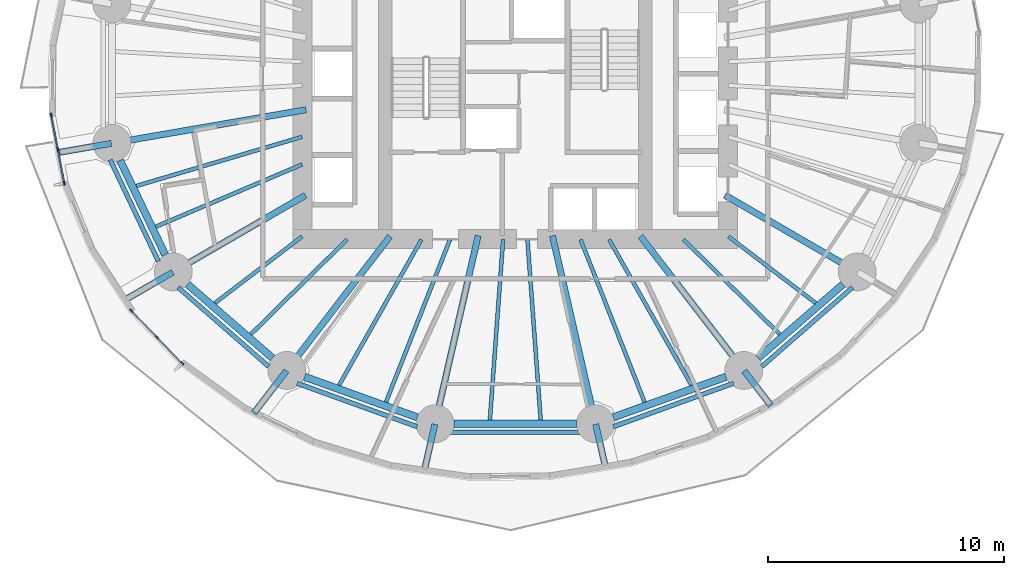
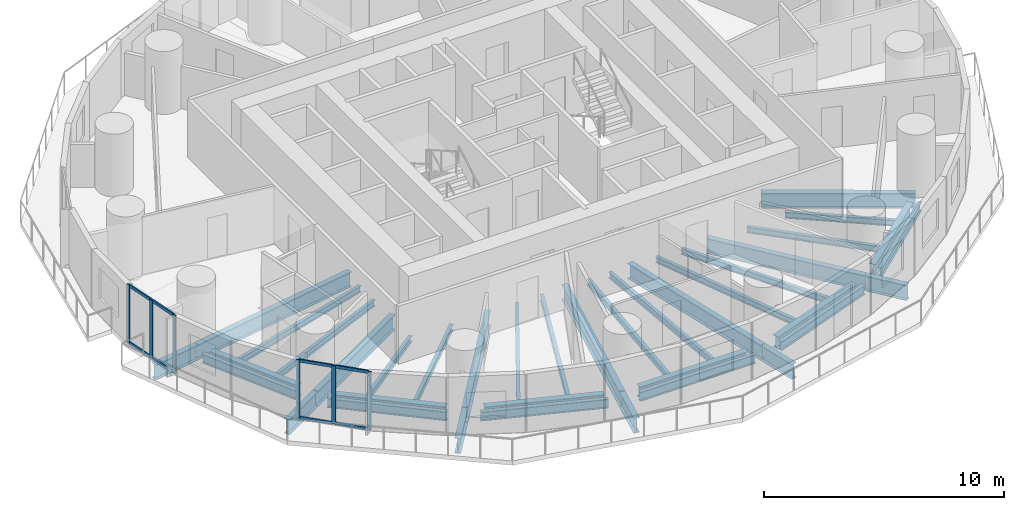
# One storey, part 2 of 14: 37 beams, 14 members, 2 elements without a shape of their own.
"""IFC4 building model written with IfcOpenShell, lengths in metres."""

from ifc_helpers import new_model, si_unit, direction, frame, origin, origin_2d, place, context, subcontext, project, spatial, rectangle, i_section, extrude, material, material_profile, profile_set, type_object, element, aggregate, save


model = new_model("IFC4")

# Units and contexts
model_context = context("Model", 3, precision=1e-05, world=origin(), true_north=direction((0.0, 1.0)))
body_context = subcontext(model_context, "Body", "Model", "MODEL_VIEW")
ifc_project = project(units=[si_unit("LENGTHUNIT", "METRE"), si_unit("AREAUNIT", "SQUARE_METRE"), si_unit("VOLUMEUNIT", "CUBIC_METRE"), si_unit("PLANEANGLEUNIT", "RADIAN"), si_unit("MASSUNIT", "GRAM", prefix="KILO")], contexts=[model_context])

# Site, building, storey
site_placement = place(None, origin())
site = spatial("IfcSite", under=ifc_project, at=site_placement, CompositionType="ELEMENT")
building_placement = place(site_placement, origin())
building = spatial("IfcBuilding", under=site, at=building_placement, Name="Veldorim Arch Residences", CompositionType="ELEMENT")
storey_placement = place(building_placement, frame((0.0, 0.0, 31.199951171875)))
storey = spatial("IfcBuildingStorey", under=building, at=storey_placement, Name="L08", CompositionType="ELEMENT", Elevation=31.199951171875)

# Beams
ifc_material_1 = material(Name="Steel S355", Category="steel")
ifc_material_profile_1 = material_profile(ifc_material_1, i_section(OverallWidth=0.30712890625, OverallDepth=0.6201171875, WebThickness=0.01416015625, FlangeThickness=0.023681640625, at=origin_2d()), Name="UB610x305x179")
ifc_profile_set_1 = profile_set([ifc_material_profile_1], Name="Steel S355")
beam_type_1 = type_object("IfcBeamType", Name="Structural Steel Beam UB610x305x179", PredefinedType="BEAM", material=ifc_profile_set_1)
beam_1_placement = place(storey_placement, frame((15.27880859375, 20.33203125, -0.550048828125), z_axis=(0.430786696724, -0.902453778276, 0.0), x_axis=(0.902453778276, 0.430786696724, 0.0)))
element("IfcBeam", 1, at=beam_1_placement, inside=storey, type_object=beam_type_1, Name="L08 perimeter ring tie beam 09", PredefinedType="BEAM", context=body_context, shape_type="SweptSolid", body=[
    extrude(i_section(OverallWidth=0.30712890625, OverallDepth=0.6201171875, WebThickness=0.01416015625, FlangeThickness=0.023681640625, at=origin_2d()), origin(), (0.0, 0.0, 1.0), 4.431396484375),
])
beam_2_placement = place(storey_placement, frame((18.13671875, 15.086669921875, -0.550048828125), z_axis=(0.755235029424, -0.655454079499, 0.0), x_axis=(0.655454079499, 0.755235029424, 0.0)))
element("IfcBeam", 2, at=beam_2_placement, inside=storey, type_object=beam_type_1, Name="L08 perimeter ring tie beam 10", PredefinedType="BEAM", context=body_context, shape_type="SweptSolid", body=[
    extrude(i_section(OverallWidth=0.30712890625, OverallDepth=0.6201171875, WebThickness=0.01416015625, FlangeThickness=0.023681640625, at=origin_2d()), origin(), (0.0, 0.0, 1.0), 4.756591796875),
])
beam_3_placement = place(storey_placement, frame((23.0859375, 11.17431640625, -0.550048828125), z_axis=(0.94103540046, -0.338308106732, 0.0), x_axis=(0.338308106732, 0.94103540046, 0.0)))
element("IfcBeam", 3, at=beam_3_placement, inside=storey, type_object=beam_type_1, Name="L08 perimeter ring tie beam 11", PredefinedType="BEAM", context=body_context, shape_type="SweptSolid", body=[
    extrude(i_section(OverallWidth=0.30712890625, OverallDepth=0.6201171875, WebThickness=0.01416015625, FlangeThickness=0.023681640625, at=origin_2d()), origin(), (0.0, 0.0, 1.0), 5.065185546875),
])
beam_4_placement = place(storey_placement, frame((29.405517578125, 9.190185546875, -0.550048828125), z_axis=(1.0, 0.0, 0.0), x_axis=(0.0, 1.0, 0.0)))
element("IfcBeam", 4, at=beam_4_placement, inside=storey, type_object=beam_type_1, Name="L08 perimeter ring tie beam 12", PredefinedType="BEAM", context=body_context, shape_type="SweptSolid", body=[
    extrude(i_section(OverallWidth=0.30712890625, OverallDepth=0.6201171875, WebThickness=0.01416015625, FlangeThickness=0.023681640625, at=origin_2d()), origin(), (0.0, 0.0, 1.0), 5.18896484375),
])
beam_5_placement = place(storey_placement, frame((36.1474609375, 9.460693359375, -0.550048828125), z_axis=(0.94103540046, 0.338308106732, 0.0), x_axis=(-0.338308106732, 0.94103540046, 0.0)))
element("IfcBeam", 5, at=beam_5_placement, inside=storey, type_object=beam_type_1, Name="L08 perimeter ring tie beam 13", PredefinedType="BEAM", context=body_context, shape_type="SweptSolid", body=[
    extrude(i_section(OverallWidth=0.30712890625, OverallDepth=0.6201171875, WebThickness=0.01416015625, FlangeThickness=0.023681640625, at=origin_2d()), origin(), (0.0, 0.0, 1.0), 5.065185546875),
])
beam_6_placement = place(storey_placement, frame((42.27099609375, 11.968994140625, -0.550048828125), z_axis=(0.755235029424, 0.655454079499, 0.0), x_axis=(-0.655454079499, 0.755235029424, 0.0)))
element("IfcBeam", 6, at=beam_6_placement, inside=storey, type_object=beam_type_1, Name="L08 perimeter ring tie beam 14", PredefinedType="BEAM", context=body_context, shape_type="SweptSolid", body=[
    extrude(i_section(OverallWidth=0.30712890625, OverallDepth=0.6201171875, WebThickness=0.01416015625, FlangeThickness=0.023681640625, at=origin_2d()), origin(), (0.0, 0.0, 1.0), 4.756591796875),
])
ifc_material_2 = material(Name="Steel S355", Category="steel")
ifc_material_profile_2 = material_profile(ifc_material_2, i_section(OverallWidth=0.26806640625, OverallDepth=0.769775390625, WebThickness=0.015625, FlangeThickness=0.025390625, at=origin_2d()), Name="UB762x267x197")
ifc_profile_set_2 = profile_set([ifc_material_profile_2], Name="Steel S355")
beam_type_2 = type_object("IfcBeamType", Name="Structural Steel GIRDER UB762x267x197", PredefinedType="USERDEFINED", material=ifc_profile_set_2)
beam_7_placement = place(storey_placement, frame((23.147705078125, 22.471923828125, -0.624755859375), z_axis=(-0.985427548249, -0.170095699979, 0.0), x_axis=(0.170095699979, -0.985427548249, 0.0)))
element("IfcBeam", 7, at=beam_7_placement, inside=storey, type_object=beam_type_2, Name="L08 radial floor girder 09", ObjectType="GIRDER", PredefinedType="USERDEFINED", context=body_context, shape_type="SweptSolid", body=[
    extrude(i_section(OverallWidth=0.26806640625, OverallDepth=0.769775390625, WebThickness=0.015625, FlangeThickness=0.025390625, at=origin_2d()), origin(), (0.0, 0.0, 1.0), 8.314697265625),
])
beam_8_placement = place(storey_placement, frame((14.91455078125, 21.05078125, -0.624755859375), z_axis=(-0.985412784753, -0.17018120826, 0.0), x_axis=(0.17018120826, -0.985412784753, 0.0)))
element("IfcBeam", 8, at=beam_8_placement, inside=storey, type_object=beam_type_2, Name="L08 radial edge cantilever girder 09", ObjectType="GIRDER", PredefinedType="USERDEFINED", context=body_context, shape_type="SweptSolid", body=[
    extrude(i_section(OverallWidth=0.26806640625, OverallDepth=0.769775390625, WebThickness=0.015625, FlangeThickness=0.025390625, at=origin_2d()), origin(), (0.0, 0.0, 1.0), 2.26513671875),
])
beam_9_placement = place(storey_placement, frame((23.1298828125, 18.8564453125, -0.624755859375), z_axis=(-0.865088348752, -0.501619525989, 0.0), x_axis=(0.501619525989, -0.865088348752, 0.0)))
element("IfcBeam", 9, at=beam_9_placement, inside=storey, type_object=beam_type_2, Name="L08 radial floor girder 10", ObjectType="GIRDER", PredefinedType="USERDEFINED", context=body_context, shape_type="SweptSolid", body=[
    extrude(i_section(OverallWidth=0.26806640625, OverallDepth=0.769775390625, WebThickness=0.015625, FlangeThickness=0.025390625, at=origin_2d()), origin(), (0.0, 0.0, 1.0), 6.4501953125),
])
beam_10_placement = place(storey_placement, frame((17.51513671875, 15.600830078125, -0.624755859375), z_axis=(-0.865088627534, -0.501619045203, 0.0), x_axis=(0.501619045203, -0.865088627534, 0.0)))
element("IfcBeam", 10, at=beam_10_placement, inside=storey, type_object=beam_type_2, Name="L08 radial edge cantilever girder 10", ObjectType="GIRDER", PredefinedType="USERDEFINED", context=body_context, shape_type="SweptSolid", body=[
    extrude(i_section(OverallWidth=0.26806640625, OverallDepth=0.769775390625, WebThickness=0.015625, FlangeThickness=0.025390625, at=origin_2d()), origin(), (0.0, 0.0, 1.0), 2.361083984375),
])
beam_11_placement = place(storey_placement, frame((26.701904296875, 17.118896484375, -0.624755859375), z_axis=(-0.610082439157, -0.792337943956, 0.0), x_axis=(0.792337943956, -0.610082439157, 0.0)))
element("IfcBeam", 11, at=beam_11_placement, inside=storey, type_object=beam_type_2, Name="L08 radial floor girder 11", ObjectType="GIRDER", PredefinedType="USERDEFINED", context=body_context, shape_type="SweptSolid", body=[
    extrude(i_section(OverallWidth=0.26806640625, OverallDepth=0.769775390625, WebThickness=0.015625, FlangeThickness=0.025390625, at=origin_2d()), origin(), (0.0, 0.0, 1.0), 7.14111328125),
])
beam_12_placement = place(storey_placement, frame((22.32080078125, 11.428955078125, -0.624755859375), z_axis=(-0.610044777152, -0.792366941429, 0.0), x_axis=(0.792366941429, -0.610044777152, 0.0)))
element("IfcBeam", 12, at=beam_12_placement, inside=storey, type_object=beam_type_2, Name="L08 radial edge cantilever girder 11", ObjectType="GIRDER", PredefinedType="USERDEFINED", context=body_context, shape_type="SweptSolid", body=[
    extrude(i_section(OverallWidth=0.26806640625, OverallDepth=0.769775390625, WebThickness=0.015625, FlangeThickness=0.025390625, at=origin_2d()), origin(), (0.0, 0.0, 1.0), 2.26025390625),
])
beam_13_placement = place(storey_placement, frame((30.428955078125, 17.146240234375, -0.624755859375), z_axis=(-0.223411766201, -0.974724157248, 0.0), x_axis=(0.974724157248, -0.223411766201, 0.0)))
element("IfcBeam", 13, at=beam_13_placement, inside=storey, type_object=beam_type_2, Name="L08 radial floor girder 12", ObjectType="GIRDER", PredefinedType="USERDEFINED", context=body_context, shape_type="SweptSolid", body=[
    extrude(i_section(OverallWidth=0.26806640625, OverallDepth=0.769775390625, WebThickness=0.015625, FlangeThickness=0.025390625, at=origin_2d()), origin(), (0.0, 0.0, 1.0), 8.142333984375),
])
beam_14_placement = place(storey_placement, frame((28.600830078125, 9.170654296875, -0.624755859375), z_axis=(-0.223397633351, -0.974727396462, 0.0), x_axis=(0.974727396462, -0.223397633351, 0.0)))
element("IfcBeam", 14, at=beam_14_placement, inside=storey, type_object=beam_type_2, Name="L08 radial edge cantilever girder 12", ObjectType="GIRDER", PredefinedType="USERDEFINED", context=body_context, shape_type="SweptSolid", body=[
    extrude(i_section(OverallWidth=0.26806640625, OverallDepth=0.769775390625, WebThickness=0.015625, FlangeThickness=0.025390625, at=origin_2d()), origin(), (0.0, 0.0, 1.0), 2.025146484375),
])
beam_15_placement = place(storey_placement, frame((33.571044921875, 17.146240234375, -0.624755859375), z_axis=(0.223411766201, -0.974724157248, 0.0), x_axis=(0.974724157248, 0.223411766201, 0.0)))
element("IfcBeam", 15, at=beam_15_placement, inside=storey, type_object=beam_type_2, Name="L08 radial floor girder 13", ObjectType="GIRDER", PredefinedType="USERDEFINED", context=body_context, shape_type="SweptSolid", body=[
    extrude(i_section(OverallWidth=0.26806640625, OverallDepth=0.769775390625, WebThickness=0.015625, FlangeThickness=0.025390625, at=origin_2d()), origin(), (0.0, 0.0, 1.0), 8.142333984375),
])
beam_16_placement = place(storey_placement, frame((35.399169921875, 9.170654296875, -0.624755859375), z_axis=(0.22337098514, -0.974733503578, 0.0), x_axis=(0.974733503578, 0.22337098514, 0.0)))
element("IfcBeam", 16, at=beam_16_placement, inside=storey, type_object=beam_type_2, Name="L08 radial edge cantilever girder 13", ObjectType="GIRDER", PredefinedType="USERDEFINED", context=body_context, shape_type="SweptSolid", body=[
    extrude(i_section(OverallWidth=0.26806640625, OverallDepth=0.769775390625, WebThickness=0.015625, FlangeThickness=0.025390625, at=origin_2d()), origin(), (0.0, 0.0, 1.0), 1.868896484375),
])
beam_17_placement = place(storey_placement, frame((37.298095703125, 17.118896484375, -0.624755859375), z_axis=(0.610082439157, -0.792337943956, 0.0), x_axis=(0.792337943956, 0.610082439157, 0.0)))
element("IfcBeam", 17, at=beam_17_placement, inside=storey, type_object=beam_type_2, Name="L08 radial floor girder 14", ObjectType="GIRDER", PredefinedType="USERDEFINED", context=body_context, shape_type="SweptSolid", body=[
    extrude(i_section(OverallWidth=0.26806640625, OverallDepth=0.769775390625, WebThickness=0.015625, FlangeThickness=0.025390625, at=origin_2d()), origin(), (0.0, 0.0, 1.0), 7.14111328125),
])
beam_18_placement = place(storey_placement, frame((41.67919921875, 11.428955078125, -0.624755859375), z_axis=(0.610034959005, -0.792374500342, 0.0), x_axis=(0.792374500342, 0.610034959005, 0.0)))
element("IfcBeam", 18, at=beam_18_placement, inside=storey, type_object=beam_type_2, Name="L08 radial edge cantilever girder 14", ObjectType="GIRDER", PredefinedType="USERDEFINED", context=body_context, shape_type="SweptSolid", body=[
    extrude(i_section(OverallWidth=0.26806640625, OverallDepth=0.769775390625, WebThickness=0.015625, FlangeThickness=0.025390625, at=origin_2d()), origin(), (0.0, 0.0, 1.0), 1.855712890625),
])
beam_19_placement = place(storey_placement, frame((40.8701171875, 18.8564453125, -0.624755859375), z_axis=(0.865088348752, -0.501619525989, 0.0), x_axis=(0.501619525989, 0.865088348752, 0.0)))
element("IfcBeam", 19, at=beam_19_placement, inside=storey, type_object=beam_type_2, Name="L08 radial floor girder 15", ObjectType="GIRDER", PredefinedType="USERDEFINED", context=body_context, shape_type="SweptSolid", body=[
    extrude(i_section(OverallWidth=0.26806640625, OverallDepth=0.769775390625, WebThickness=0.015625, FlangeThickness=0.025390625, at=origin_2d()), origin(), (0.0, 0.0, 1.0), 6.4501953125),
])
ifc_material_3 = material(Name="Steel S355", Category="steel")
ifc_material_profile_3 = material_profile(ifc_material_3, i_section(OverallWidth=0.165771484375, OverallDepth=0.306640625, WebThickness=0.006591796875, FlangeThickness=0.01171875, at=origin_2d()), Name="UB305x165x46")
ifc_profile_set_3 = profile_set([ifc_material_profile_3], Name="Steel S355")
beam_type_3 = type_object("IfcBeamType", Name="Structural Steel Joist UB305x165x46", PredefinedType="JOIST", material=ifc_profile_set_3)
beam_20_placement = place(storey_placement, frame((22.980712890625, 21.32666015625, -0.393310546875), z_axis=(-0.958766778771, -0.284194060325, 0.0), x_axis=(0.284194060325, -0.958766778771, 0.0)))
element("IfcBeam", 20, at=beam_20_placement, inside=storey, type_object=beam_type_3, Name="L08 secondary radial floor joist 09-1", PredefinedType="JOIST", context=body_context, shape_type="SweptSolid", body=[
    extrude(i_section(OverallWidth=0.165771484375, OverallDepth=0.306640625, WebThickness=0.006591796875, FlangeThickness=0.01171875, at=origin_2d()), origin(), (0.0, 0.0, 1.0), 7.3115234375),
])
beam_21_placement = place(storey_placement, frame((22.981689453125, 20.15869140625, -0.393310546875), z_axis=(-0.920032948668, -0.391841005213, 0.0), x_axis=(0.391841005213, -0.920032948668, 0.0)))
element("IfcBeam", 21, at=beam_21_placement, inside=storey, type_object=beam_type_3, Name="L08 secondary radial floor joist 09-2", PredefinedType="JOIST", context=body_context, shape_type="SweptSolid", body=[
    extrude(i_section(OverallWidth=0.165771484375, OverallDepth=0.306640625, WebThickness=0.006591796875, FlangeThickness=0.01171875, at=origin_2d()), origin(), (0.0, 0.0, 1.0), 6.723388671875),
])
beam_22_placement = place(storey_placement, frame((22.984130859375, 17.1123046875, -0.393310546875), z_axis=(-0.794666431166, -0.607046343517, 0.0), x_axis=(0.607046343517, -0.794666431166, 0.0)))
element("IfcBeam", 22, at=beam_22_placement, inside=storey, type_object=beam_type_3, Name="L08 secondary radial floor joist 10-1", PredefinedType="JOIST", context=body_context, shape_type="SweptSolid", body=[
    extrude(i_section(OverallWidth=0.165771484375, OverallDepth=0.306640625, WebThickness=0.006591796875, FlangeThickness=0.01171875, at=origin_2d()), origin(), (0.0, 0.0, 1.0), 4.646728515625),
])
beam_23_placement = place(storey_placement, frame((24.885009765625, 16.986083984375, -0.393310546875), z_axis=(-0.712129078446, -0.702048556463, 0.0), x_axis=(0.702048556463, -0.712129078446, 0.0)))
element("IfcBeam", 23, at=beam_23_placement, inside=storey, type_object=beam_type_3, Name="L08 secondary radial floor joist 10-2", PredefinedType="JOIST", context=body_context, shape_type="SweptSolid", body=[
    extrude(i_section(OverallWidth=0.165771484375, OverallDepth=0.306640625, WebThickness=0.006591796875, FlangeThickness=0.01171875, at=origin_2d()), origin(), (0.0, 0.0, 1.0), 5.715576171875),
])
beam_24_placement = place(storey_placement, frame((28.03125, 16.982666015625, -0.393310546875), z_axis=(-0.492292335352, -0.870429926274, 0.0), x_axis=(0.870429926274, -0.492292335352, 0.0)))
element("IfcBeam", 24, at=beam_24_placement, inside=storey, type_object=beam_type_3, Name="L08 secondary radial floor joist 11-1", PredefinedType="JOIST", context=body_context, shape_type="SweptSolid", body=[
    extrude(i_section(OverallWidth=0.165771484375, OverallDepth=0.306640625, WebThickness=0.006591796875, FlangeThickness=0.01171875, at=origin_2d()), origin(), (0.0, 0.0, 1.0), 7.083251953125),
])
beam_25_placement = place(storey_placement, frame((29.237548828125, 16.9814453125, -0.393310546875), z_axis=(-0.366229833858, -0.930524426758, 0.0), x_axis=(0.930524426758, -0.366229833858, 0.0)))
element("IfcBeam", 25, at=beam_25_placement, inside=storey, type_object=beam_type_3, Name="L08 secondary radial floor joist 11-2", PredefinedType="JOIST", context=body_context, shape_type="SweptSolid", body=[
    extrude(i_section(OverallWidth=0.165771484375, OverallDepth=0.306640625, WebThickness=0.006591796875, FlangeThickness=0.01171875, at=origin_2d()), origin(), (0.0, 0.0, 1.0), 7.3896484375),
])
for number, where, z_axis, x_axis, name in (
    (26, (31.485107421875, 16.97998046875, -0.393310546875), (-0.073167620373, -0.997319657547, 0.0), (0.997319657547, -0.073167620373, 0.0), "L08 secondary radial floor joist 12-1"),
    (27, (32.514892578125, 16.97998046875, -0.393310546875), (0.073167620373, -0.997319657547, 0.0), (0.997319657547, 0.073167620373, 0.0), "L08 secondary radial floor joist 12-2"),
):
    element("IfcBeam", number, at=place(storey_placement, frame(where, z_axis=z_axis, x_axis=x_axis)), inside=storey, type_object=beam_type_3, Name=name, PredefinedType="JOIST", context=body_context, shape_type="SweptSolid", body=[
        extrude(i_section(OverallWidth=0.165771484375, OverallDepth=0.306640625, WebThickness=0.006591796875, FlangeThickness=0.01171875, at=origin_2d()), origin(), (0.0, 0.0, 1.0), 7.651123046875),
    ])
beam_26_placement = place(storey_placement, frame((34.762451171875, 16.9814453125, -0.393310546875), z_axis=(0.366229833858, -0.930524426758, 0.0), x_axis=(0.930524426758, 0.366229833858, 0.0)))
element("IfcBeam", 28, at=beam_26_placement, inside=storey, type_object=beam_type_3, Name="L08 secondary radial floor joist 13-1", PredefinedType="JOIST", context=body_context, shape_type="SweptSolid", body=[
    extrude(i_section(OverallWidth=0.165771484375, OverallDepth=0.306640625, WebThickness=0.006591796875, FlangeThickness=0.01171875, at=origin_2d()), origin(), (0.0, 0.0, 1.0), 7.3896484375),
])
beam_27_placement = place(storey_placement, frame((35.96875, 16.982666015625, -0.393310546875), z_axis=(0.492292335352, -0.870429926274, 0.0), x_axis=(0.870429926274, 0.492292335352, 0.0)))
element("IfcBeam", 29, at=beam_27_placement, inside=storey, type_object=beam_type_3, Name="L08 secondary radial floor joist 13-2", PredefinedType="JOIST", context=body_context, shape_type="SweptSolid", body=[
    extrude(i_section(OverallWidth=0.165771484375, OverallDepth=0.306640625, WebThickness=0.006591796875, FlangeThickness=0.01171875, at=origin_2d()), origin(), (0.0, 0.0, 1.0), 7.083251953125),
])
beam_28_placement = place(storey_placement, frame((39.114990234375, 16.986083984375, -0.393310546875), z_axis=(0.712129078446, -0.702048556463, 0.0), x_axis=(0.702048556463, 0.712129078446, 0.0)))
element("IfcBeam", 30, at=beam_28_placement, inside=storey, type_object=beam_type_3, Name="L08 secondary radial floor joist 14-1", PredefinedType="JOIST", context=body_context, shape_type="SweptSolid", body=[
    extrude(i_section(OverallWidth=0.165771484375, OverallDepth=0.306640625, WebThickness=0.006591796875, FlangeThickness=0.01171875, at=origin_2d()), origin(), (0.0, 0.0, 1.0), 5.715576171875),
])
beam_29_placement = place(storey_placement, frame((41.015869140625, 17.1123046875, -0.393310546875), z_axis=(0.794666431166, -0.607046343517, 0.0), x_axis=(0.607046343517, 0.794666431166, 0.0)))
element("IfcBeam", 31, at=beam_29_placement, inside=storey, type_object=beam_type_3, Name="L08 secondary radial floor joist 14-2", PredefinedType="JOIST", context=body_context, shape_type="SweptSolid", body=[
    extrude(i_section(OverallWidth=0.165771484375, OverallDepth=0.306640625, WebThickness=0.006591796875, FlangeThickness=0.01171875, at=origin_2d()), origin(), (0.0, 0.0, 1.0), 4.646728515625),
])
ifc_material_4 = material(Name="Steel S355", Category="steel")
ifc_material_profile_4 = material_profile(ifc_material_4, i_section(OverallWidth=0.19140625, OverallDepth=0.4599609375, WebThickness=0.010009765625, FlangeThickness=0.01611328125, at=origin_2d()), Name="UB457x191x82")
ifc_profile_set_4 = profile_set([ifc_material_profile_4], Name="Steel S355")
beam_type_4 = type_object("IfcBeamType", Name="Structural Steel Spandrel UB457x191x82", PredefinedType="SPANDREL", material=ifc_profile_set_4)
beam_30_placement = place(storey_placement, frame((14.86181640625, 20.353515625, -0.489990234375), z_axis=(0.42886940858, -0.903366498374, 0.0), x_axis=(0.903366498374, 0.42886940858, 0.0)))
element("IfcBeam", 32, at=beam_30_placement, inside=storey, type_object=beam_type_4, Name="L08 perimeter chord spandrel beam 09", PredefinedType="SPANDREL", context=body_context, shape_type="SweptSolid", body=[
    extrude(i_section(OverallWidth=0.19140625, OverallDepth=0.4599609375, WebThickness=0.010009765625, FlangeThickness=0.01611328125, at=origin_2d()), origin(), (0.0, 0.0, 1.0), 4.7568359375),
])
beam_31_placement = place(storey_placement, frame((17.73388671875, 14.957275390625, -0.489990234375), z_axis=(0.753250231024, -0.65773405679, 0.0), x_axis=(0.65773405679, 0.753250231024, 0.0)))
element("IfcBeam", 33, at=beam_31_placement, inside=storey, type_object=beam_type_4, Name="L08 perimeter chord spandrel beam 10", PredefinedType="SPANDREL", context=body_context, shape_type="SweptSolid", body=[
    extrude(i_section(OverallWidth=0.19140625, OverallDepth=0.4599609375, WebThickness=0.010009765625, FlangeThickness=0.01611328125, at=origin_2d()), origin(), (0.0, 0.0, 1.0), 5.09423828125),
])
beam_32_placement = place(storey_placement, frame((22.76318359375, 10.904052734375, -0.489990234375), z_axis=(0.940271320222, -0.340425974873, 0.0), x_axis=(0.340425974873, 0.940271320222, 0.0)))
element("IfcBeam", 34, at=beam_32_placement, inside=storey, type_object=beam_type_4, Name="L08 perimeter chord spandrel beam 11", PredefinedType="SPANDREL", context=body_context, shape_type="SweptSolid", body=[
    extrude(i_section(OverallWidth=0.19140625, OverallDepth=0.4599609375, WebThickness=0.010009765625, FlangeThickness=0.01611328125, at=origin_2d()), origin(), (0.0, 0.0, 1.0), 5.4189453125),
])
beam_33_placement = place(storey_placement, frame((29.224609375, 8.819580078125, -0.489990234375), z_axis=(1.0, 0.0, 0.0), x_axis=(0.0, 1.0, 0.0)))
element("IfcBeam", 35, at=beam_33_placement, inside=storey, type_object=beam_type_4, Name="L08 perimeter chord spandrel beam 12", PredefinedType="SPANDREL", context=body_context, shape_type="SweptSolid", body=[
    extrude(i_section(OverallWidth=0.19140625, OverallDepth=0.4599609375, WebThickness=0.010009765625, FlangeThickness=0.01611328125, at=origin_2d()), origin(), (0.0, 0.0, 1.0), 5.55078125),
])
beam_34_placement = place(storey_placement, frame((36.1416015625, 9.059326171875, -0.489990234375), z_axis=(0.940271320222, 0.340425974873, 0.0), x_axis=(-0.340425974873, 0.940271320222, 0.0)))
element("IfcBeam", 36, at=beam_34_placement, inside=storey, type_object=beam_type_4, Name="L08 perimeter chord spandrel beam 13", PredefinedType="SPANDREL", context=body_context, shape_type="SweptSolid", body=[
    extrude(i_section(OverallWidth=0.19140625, OverallDepth=0.4599609375, WebThickness=0.010009765625, FlangeThickness=0.01611328125, at=origin_2d()), origin(), (0.0, 0.0, 1.0), 5.4189453125),
])
beam_35_placement = place(storey_placement, frame((42.428955078125, 11.606689453125, -0.489990234375), z_axis=(0.753250231024, 0.65773405679, 0.0), x_axis=(-0.65773405679, 0.753250231024, 0.0)))
element("IfcBeam", 37, at=beam_35_placement, inside=storey, type_object=beam_type_4, Name="L08 perimeter chord spandrel beam 14", PredefinedType="SPANDREL", context=body_context, shape_type="SweptSolid", body=[
    extrude(i_section(OverallWidth=0.19140625, OverallDepth=0.4599609375, WebThickness=0.010009765625, FlangeThickness=0.01611328125, at=origin_2d()), origin(), (0.0, 0.0, 1.0), 5.09423828125),
])

# Curtain wall, members
ifc_material_5 = material(Name="Aluminium", Category="aluminium")
curtain_wall_type = type_object("IfcCurtainWallType", Name="Zone 1 Acoustic Low-E Unitised Curtain Wall", PredefinedType="NOTDEFINED", material=ifc_material_5)
curtain_wall_1_placement = place(storey_placement, origin())
curtain_wall_1 = element("IfcCurtainWall", 38, at=curtain_wall_1_placement, inside=storey, type_object=curtain_wall_type, Name="L08 unitised curtain wall bay 19", PredefinedType="NOTDEFINED")
ifc_material_6 = material(Name="Aluminium", Category="aluminium")
ifc_material_profile_5 = material_profile(ifc_material_6, rectangle(XDim=0.06494140625, YDim=0.175048828125, at=origin_2d()), Name="ALU_MUL_65x175")
ifc_profile_set_5 = profile_set([ifc_material_profile_5], Name="Aluminium")
member_type_1 = type_object("IfcMemberType", Name="Zone 1 Acoustic Low-E Unitised Curtain Wall Mullion 65x175", PredefinedType="MULLION", material=ifc_profile_set_5)
member_1_placement = place(storey_placement, frame((12.9208984375, 19.360595703125, 0.0), z_axis=(0.0, 0.0, 1.0), x_axis=(-0.982317566124, -0.187222325819, 0.0)))
member_1 = element("IfcMember", 39, at=member_1_placement, type_object=member_type_1, Name="CW-Z1 mullion 1", PredefinedType="MULLION", context=body_context, shape_type="SweptSolid", body=[
    extrude(rectangle(XDim=0.06494140625, YDim=0.175048828125, at=origin_2d()), origin(), (0.0, 0.0, 1.0), 2.9599609375),
])
member_2_placement = place(storey_placement, frame((12.64599609375, 20.802978515625, 0.0), z_axis=(0.0, 0.0, 1.0), x_axis=(-0.982317566124, -0.187222325819, 0.0)))
member_2 = element("IfcMember", 40, at=member_2_placement, type_object=member_type_1, Name="CW-Z1 mullion 2", PredefinedType="MULLION", context=body_context, shape_type="SweptSolid", body=[
    extrude(rectangle(XDim=0.06494140625, YDim=0.175048828125, at=origin_2d()), origin(), (0.0, 0.0, 1.0), 2.9599609375),
])
member_3_placement = place(storey_placement, frame((12.37109375, 22.245361328125, 0.0), z_axis=(0.0, 0.0, 1.0), x_axis=(-0.982317566124, -0.187222325819, 0.0)))
member_3 = element("IfcMember", 41, at=member_3_placement, type_object=member_type_1, Name="CW-Z1 mullion 3", PredefinedType="MULLION", context=body_context, shape_type="SweptSolid", body=[
    extrude(rectangle(XDim=0.06494140625, YDim=0.175048828125, at=origin_2d()), origin(), (0.0, 0.0, 1.0), 2.9599609375),
])

curtain_wall_2_placement = place(storey_placement, origin())
curtain_wall_2 = element("IfcCurtainWall", 42, at=curtain_wall_2_placement, inside=storey, type_object=curtain_wall_type, Name="L08 unitised curtain wall bay 22", PredefinedType="NOTDEFINED")
member_4_placement = place(storey_placement, frame((17.904541015625, 11.740234375, 0.0), z_axis=(0.0, 0.0, 1.0), x_axis=(-0.720420523139, -0.693537504278, 0.0)))
member_4 = element("IfcMember", 43, at=member_4_placement, type_object=member_type_1, Name="CW-Z1 mullion 1", PredefinedType="MULLION", context=body_context, shape_type="SweptSolid", body=[
    extrude(rectangle(XDim=0.06494140625, YDim=0.175048828125, at=origin_2d()), origin(), (0.0, 0.0, 1.0), 2.9599609375),
])
member_5_placement = place(storey_placement, frame((16.833251953125, 12.85302734375, 0.0), z_axis=(0.0, 0.0, 1.0), x_axis=(-0.720420523139, -0.693537504278, 0.0)))
member_5 = element("IfcMember", 44, at=member_5_placement, type_object=member_type_1, Name="CW-Z1 mullion 2", PredefinedType="MULLION", context=body_context, shape_type="SweptSolid", body=[
    extrude(rectangle(XDim=0.06494140625, YDim=0.175048828125, at=origin_2d()), origin(), (0.0, 0.0, 1.0), 2.9599609375),
])
member_6_placement = place(storey_placement, frame((15.76171875, 13.9658203125, 0.0), z_axis=(0.0, 0.0, 1.0), x_axis=(-0.720420523139, -0.693537504278, 0.0)))
member_6 = element("IfcMember", 45, at=member_6_placement, type_object=member_type_1, Name="CW-Z1 mullion 3", PredefinedType="MULLION", context=body_context, shape_type="SweptSolid", body=[
    extrude(rectangle(XDim=0.06494140625, YDim=0.175048828125, at=origin_2d()), origin(), (0.0, 0.0, 1.0), 2.9599609375),
])

# Member
ifc_material_7 = material(Name="Aluminium", Category="aluminium")
ifc_material_profile_6 = material_profile(ifc_material_7, rectangle(XDim=0.06494140625, YDim=0.14990234375, at=origin_2d()), Name="ALU_TRN_65x150")
ifc_profile_set_6 = profile_set([ifc_material_profile_6], Name="Aluminium")
member_type_2 = type_object("IfcMemberType", Name="Zone 1 Acoustic Low-E Unitised Curtain Wall Transom 65x150", PredefinedType="USERDEFINED", material=ifc_profile_set_6)
member_7_placement = place(storey_placement, frame((12.914794921875, 19.392578125, 0.032470703125), z_axis=(-0.187176056103, 0.982326383654, 0.0), x_axis=(-0.982326383654, -0.187176056103, 0.0)))
member_7 = element("IfcMember", 46, at=member_7_placement, type_object=member_type_2, Name="CW-Z1 transom 1.1", ObjectType="TRANSOM", PredefinedType="USERDEFINED", context=body_context, shape_type="SweptSolid", body=[
    extrude(rectangle(XDim=0.06494140625, YDim=0.14990234375, at=origin_2d()), origin(), (0.0, 0.0, 1.0), 1.403564453125),
])

member_8_placement = place(storey_placement, frame((12.914794921875, 19.392578125, 2.927490234375), z_axis=(-0.187176056103, 0.982326383654, 0.0), x_axis=(-0.982326383654, -0.187176056103, 0.0)))
member_8 = element("IfcMember", 47, at=member_8_placement, type_object=member_type_2, Name="CW-Z1 transom 1.2", ObjectType="TRANSOM", PredefinedType="USERDEFINED", context=body_context, shape_type="SweptSolid", body=[
    extrude(rectangle(XDim=0.06494140625, YDim=0.14990234375, at=origin_2d()), origin(), (0.0, 0.0, 1.0), 1.403564453125),
])

member_9_placement = place(storey_placement, frame((12.639892578125, 20.8349609375, 0.032470703125), z_axis=(-0.187176056103, 0.982326383654, 0.0), x_axis=(-0.982326383654, -0.187176056103, 0.0)))
member_9 = element("IfcMember", 48, at=member_9_placement, type_object=member_type_2, Name="CW-Z1 transom 2.1", ObjectType="TRANSOM", PredefinedType="USERDEFINED", context=body_context, shape_type="SweptSolid", body=[
    extrude(rectangle(XDim=0.06494140625, YDim=0.14990234375, at=origin_2d()), origin(), (0.0, 0.0, 1.0), 1.403564453125),
])

member_10_placement = place(storey_placement, frame((12.639892578125, 20.8349609375, 2.927490234375), z_axis=(-0.187176056103, 0.982326383654, 0.0), x_axis=(-0.982326383654, -0.187176056103, 0.0)))
member_10 = element("IfcMember", 49, at=member_10_placement, type_object=member_type_2, Name="CW-Z1 transom 2.2", ObjectType="TRANSOM", PredefinedType="USERDEFINED", context=body_context, shape_type="SweptSolid", body=[
    extrude(rectangle(XDim=0.06494140625, YDim=0.14990234375, at=origin_2d()), origin(), (0.0, 0.0, 1.0), 1.403564453125),
])

aggregate(curtain_wall_1, [member_1, member_2, member_3, member_7, member_8, member_9, member_10])

member_11_placement = place(storey_placement, frame((17.8818359375, 11.763427734375, 0.032470703125), z_axis=(-0.693448255171, 0.7205064312, 0.0), x_axis=(-0.7205064312, -0.693448255171, 0.0)))
member_11 = element("IfcMember", 50, at=member_11_placement, type_object=member_type_2, Name="CW-Z1 transom 1.1", ObjectType="TRANSOM", PredefinedType="USERDEFINED", context=body_context, shape_type="SweptSolid", body=[
    extrude(rectangle(XDim=0.06494140625, YDim=0.14990234375, at=origin_2d()), origin(), (0.0, 0.0, 1.0), 1.479736328125),
])

member_12_placement = place(storey_placement, frame((17.8818359375, 11.763427734375, 2.927490234375), z_axis=(-0.693448255171, 0.7205064312, 0.0), x_axis=(-0.7205064312, -0.693448255171, 0.0)))
member_12 = element("IfcMember", 51, at=member_12_placement, type_object=member_type_2, Name="CW-Z1 transom 1.2", ObjectType="TRANSOM", PredefinedType="USERDEFINED", context=body_context, shape_type="SweptSolid", body=[
    extrude(rectangle(XDim=0.06494140625, YDim=0.14990234375, at=origin_2d()), origin(), (0.0, 0.0, 1.0), 1.479736328125),
])

member_13_placement = place(storey_placement, frame((16.810546875, 12.87646484375, 0.032470703125), z_axis=(-0.693530694473, 0.720427078769, 0.0), x_axis=(-0.720427078769, -0.693530694473, 0.0)))
member_13 = element("IfcMember", 52, at=member_13_placement, type_object=member_type_2, Name="CW-Z1 transom 2.1", ObjectType="TRANSOM", PredefinedType="USERDEFINED", context=body_context, shape_type="SweptSolid", body=[
    extrude(rectangle(XDim=0.06494140625, YDim=0.14990234375, at=origin_2d()), origin(), (0.0, 0.0, 1.0), 1.4794921875),
])

member_14_placement = place(storey_placement, frame((16.810546875, 12.87646484375, 2.927490234375), z_axis=(-0.693530694473, 0.720427078769, 0.0), x_axis=(-0.720427078769, -0.693530694473, 0.0)))
member_14 = element("IfcMember", 53, at=member_14_placement, type_object=member_type_2, Name="CW-Z1 transom 2.2", ObjectType="TRANSOM", PredefinedType="USERDEFINED", context=body_context, shape_type="SweptSolid", body=[
    extrude(rectangle(XDim=0.06494140625, YDim=0.14990234375, at=origin_2d()), origin(), (0.0, 0.0, 1.0), 1.4794921875),
])

aggregate(curtain_wall_2, [member_4, member_5, member_6, member_11, member_12, member_13, member_14])

save(model, "model.ifc")
